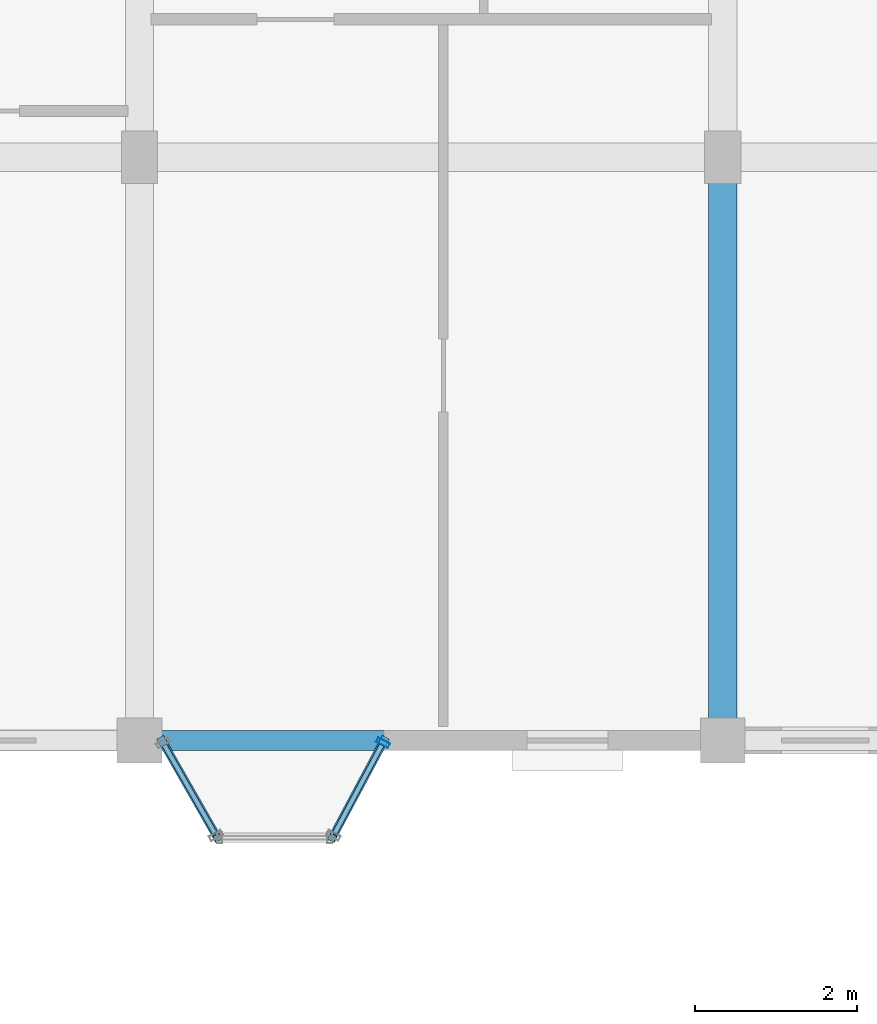
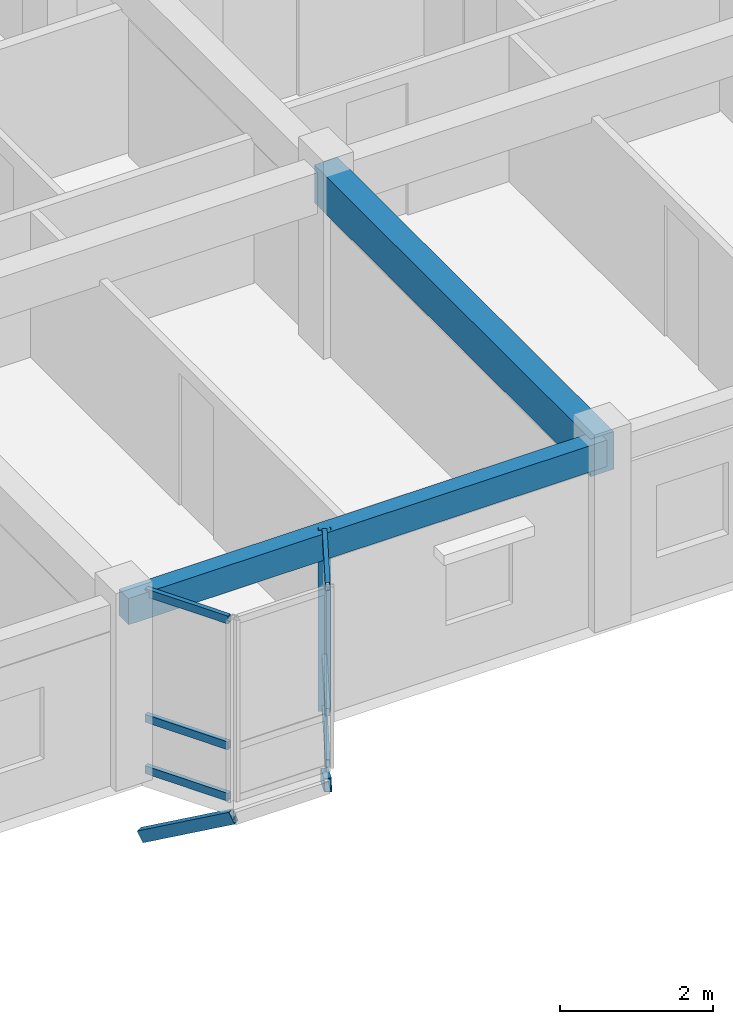
# One storey, part 34 of 77: 9 members, 2 beams, 2 elements without a shape of their own.
"""IFC4 building model written with IfcOpenShell, lengths in metres."""

from ifc_helpers import new_model, si_unit, direction, frame, origin, origin_2d, place, context, subcontext, project, spatial, rectangle, hollow_rectangle, extrude, material, layer, layer_set, material_profile, profile_set, type_object, element, aggregate, save


model = new_model("IFC4")

# Units and contexts
model_context = context("Model", 3, precision=1e-05, world=origin(), true_north=direction((0.0, 1.0)))
body_context = subcontext(model_context, "Body", "Model", "MODEL_VIEW")
ifc_project = project(units=[si_unit("LENGTHUNIT", "METRE"), si_unit("AREAUNIT", "SQUARE_METRE"), si_unit("VOLUMEUNIT", "CUBIC_METRE"), si_unit("PLANEANGLEUNIT", "RADIAN"), si_unit("MASSUNIT", "GRAM", prefix="KILO"), si_unit("THERMODYNAMICTEMPERATUREUNIT", "KELVIN"), si_unit("POWERUNIT", "WATT")], contexts=[model_context])

# Site, building, storey
site_placement = place(None, origin())
site = spatial("IfcSite", under=ifc_project, at=site_placement, CompositionType="ELEMENT")
building_placement = place(site_placement, origin())
building = spatial("IfcBuilding", under=site, at=building_placement, Name="Tavuni Mirador Residences", CompositionType="ELEMENT")
storey_placement = place(building_placement, frame((0.0, 0.0, 17.10009765625)))
storey = spatial("IfcBuildingStorey", under=building, at=storey_placement, Name="L05", CompositionType="ELEMENT", Elevation=17.10009765625)

# Beams
ifc_material_1 = material(Name="Precast concrete C40/50", Category="concrete")
ifc_material_profile_1 = material_profile(ifc_material_1, rectangle(XDim=0.35009765625, YDim=0.60009765625, at=origin_2d()), Name="PC 350x600", Category="concrete")
ifc_profile_set_1 = profile_set([ifc_material_profile_1], Name="Precast concrete C40/50")
beam_type_1 = type_object("IfcBeamType", Name="BT-B600", PredefinedType="BEAM", material=ifc_profile_set_1)
beam_1_placement = place(storey_placement, frame((25.199951171875, 144.0, 2.5849609375), z_axis=(0.0, 1.0, 0.0), x_axis=(-1.0, 0.0, 0.0)))
element("IfcBeam", 1, at=beam_1_placement, inside=storey, type_object=beam_type_1, Name="BMY-BLK-C-L05-02-00", PredefinedType="BEAM", context=body_context, shape_type="SweptSolid", body=[
    extrude(rectangle(XDim=0.35009765625, YDim=0.60009765625, at=origin_2d()), origin(), (0.0, 0.0, 1.0), 7.199951171875),
])
ifc_material_profile_2 = material_profile(ifc_material_1, rectangle(XDim=0.25, YDim=0.419921875, at=origin_2d()), Name="PC 250x420", Category="concrete")
ifc_profile_set_2 = profile_set([ifc_material_profile_2], Name="Precast concrete C40/50")
beam_type_2 = type_object("IfcBeamType", Name="BT-SP420", PredefinedType="SPANDREL", material=ifc_profile_set_2)
beam_2_placement = place(storey_placement, frame((18.0, 144.0, 2.6748046875), z_axis=(1.0, 0.0, 0.0), x_axis=(0.0, 1.0, 0.0)))
element("IfcBeam", 2, at=beam_2_placement, inside=storey, type_object=beam_type_2, Name="BMX-BLK-C-L05-01-00", PredefinedType="SPANDREL", context=body_context, shape_type="SweptSolid", body=[
    extrude(rectangle(XDim=0.25, YDim=0.419921875, at=origin_2d()), origin(), (0.0, 0.0, 1.0), 7.199951171875),
])

# Curtain wall, member
ifc_material_2 = material(Name="Anodised aluminium", Category="aluminium")
ifc_layer_1 = layer(ifc_material_2, 0.159912109375, Name="Anodised aluminium", Category="aluminium")
ifc_layer_set_1 = layer_set([ifc_layer_1], Name="Anodised aluminium")
curtain_wall_type_1 = type_object("IfcCurtainWallType", Name="CWT-MIR-D", PredefinedType="NOTDEFINED", material=ifc_layer_set_1)
curtain_wall_1_placement = place(storey_placement, origin())
curtain_wall_1 = element("IfcCurtainWall", 3, at=curtain_wall_1_placement, inside=storey, type_object=curtain_wall_type_1, Name="CW-MIR-C-S1-L05-M2", PredefinedType="NOTDEFINED")
ifc_material_profile_3 = material_profile(ifc_material_2, hollow_rectangle(XDim=0.06494140625, YDim=0.1650390625, WallThickness=0.00439453125, at=origin_2d()), Name="ALU 65x165x4.5", Category="aluminium")
ifc_profile_set_3 = profile_set([ifc_material_profile_3], Name="Anodised aluminium")
member_type_1 = type_object("IfcMemberType", Name="CWM-165", PredefinedType="MULLION", material=ifc_profile_set_3)
member_1_placement = place(storey_placement, frame((21.004638671875, 143.971435546875, 0.0), z_axis=(0.0, 0.0, 1.0), x_axis=(0.470588235296, 0.882352941175, 0.0)))
member_1 = element("IfcMember", 4, at=member_1_placement, type_object=member_type_1, Name="CW-04 mullion 2", PredefinedType="MULLION", context=body_context, shape_type="SweptSolid", body=[
    extrude(hollow_rectangle(XDim=0.06494140625, YDim=0.1650390625, WallThickness=0.00439453125, at=origin_2d()), origin(), (0.0, 0.0, 1.0), 2.885009765625),
])

# Curtain wall, members
ifc_layer_2 = layer(ifc_material_2, 0.14990234375, Name="Anodised aluminium", Category="aluminium")
ifc_layer_set_2 = layer_set([ifc_layer_2], Name="Anodised aluminium")
curtain_wall_type_2 = type_object("IfcCurtainWallType", Name="CWT-MIR-B", PredefinedType="NOTDEFINED", material=ifc_layer_set_2)
curtain_wall_2_placement = place(storey_placement, origin())
curtain_wall_2 = element("IfcCurtainWall", 5, at=curtain_wall_2_placement, inside=storey, type_object=curtain_wall_type_2, Name="CW-MIR-C-S1-L05-M1", PredefinedType="NOTDEFINED")
ifc_material_profile_4 = material_profile(ifc_material_2, hollow_rectangle(XDim=0.06494140625, YDim=0.125, WallThickness=0.00439453125, at=origin_2d()), Name="ALU 65x125x4.5", Category="aluminium")
ifc_profile_set_4 = profile_set([ifc_material_profile_4], Name="Anodised aluminium")
member_type_2 = type_object("IfcMemberType", Name="CWT-125", PredefinedType="USERDEFINED", material=ifc_profile_set_4)
member_2_placement = place(storey_placement, frame((18.30712890625, 143.943603515625, 0.032470703125), z_axis=(0.495760837306, -0.868459090685, 0.0), x_axis=(0.868459090685, 0.495760837306, 0.0)))
member_2 = element("IfcMember", 6, at=member_2_placement, type_object=member_type_2, Name="CW-02 transom 1.1", ObjectType="TRANSOM", PredefinedType="USERDEFINED", context=body_context, shape_type="SweptSolid", body=[
    extrude(hollow_rectangle(XDim=0.06494140625, YDim=0.125, WallThickness=0.00439453125, at=origin_2d()), origin(), (0.0, 0.0, 1.0), 1.251708984375),
])
member_3_placement = place(storey_placement, frame((18.30712890625, 143.943603515625, 0.849853515625), z_axis=(0.495760837306, -0.868459090685, 0.0), x_axis=(0.868459090685, 0.495760837306, 0.0)))
member_3 = element("IfcMember", 7, at=member_3_placement, type_object=member_type_2, Name="CW-02 transom 1.2", ObjectType="TRANSOM", PredefinedType="USERDEFINED", context=body_context, shape_type="SweptSolid", body=[
    extrude(hollow_rectangle(XDim=0.06494140625, YDim=0.125, WallThickness=0.00439453125, at=origin_2d()), origin(), (0.0, 0.0, 1.0), 1.251708984375),
])
member_4_placement = place(storey_placement, frame((18.30712890625, 143.943603515625, 2.852294921875), z_axis=(0.495760837306, -0.868459090685, 0.0), x_axis=(0.868459090685, 0.495760837306, 0.0)))
member_4 = element("IfcMember", 8, at=member_4_placement, type_object=member_type_2, Name="CW-02 transom 1.3", ObjectType="TRANSOM", PredefinedType="USERDEFINED", context=body_context, shape_type="SweptSolid", body=[
    extrude(hollow_rectangle(XDim=0.06494140625, YDim=0.125, WallThickness=0.00439453125, at=origin_2d()), origin(), (0.0, 0.0, 1.0), 1.251708984375),
])
aggregate(curtain_wall_2, [member_2, member_3, member_4])

# Member
member_5_placement = place(storey_placement, frame((20.41064453125, 142.857421875, 0.032470703125), z_axis=(0.470639747922, 0.882325465843, 0.0), x_axis=(-0.882325465843, 0.470639747922, 0.0)))
member_5 = element("IfcMember", 9, at=member_5_placement, type_object=member_type_2, Name="CW-04 transom 1.1", ObjectType="TRANSOM", PredefinedType="USERDEFINED", context=body_context, shape_type="SweptSolid", body=[
    extrude(hollow_rectangle(XDim=0.06494140625, YDim=0.125, WallThickness=0.00439453125, at=origin_2d()), origin(), (0.0, 0.0, 1.0), 1.22998046875),
])

member_6_placement = place(storey_placement, frame((20.41064453125, 142.857421875, 0.849853515625), z_axis=(0.470639747922, 0.882325465843, 0.0), x_axis=(-0.882325465843, 0.470639747922, 0.0)))
member_6 = element("IfcMember", 10, at=member_6_placement, type_object=member_type_2, Name="CW-04 transom 1.2", ObjectType="TRANSOM", PredefinedType="USERDEFINED", context=body_context, shape_type="SweptSolid", body=[
    extrude(hollow_rectangle(XDim=0.06494140625, YDim=0.125, WallThickness=0.00439453125, at=origin_2d()), origin(), (0.0, 0.0, 1.0), 1.22998046875),
])

member_7_placement = place(storey_placement, frame((20.41064453125, 142.857421875, 2.852294921875), z_axis=(0.470639747922, 0.882325465843, 0.0), x_axis=(-0.882325465843, 0.470639747922, 0.0)))
member_7 = element("IfcMember", 11, at=member_7_placement, type_object=member_type_2, Name="CW-04 transom 1.3", ObjectType="TRANSOM", PredefinedType="USERDEFINED", context=body_context, shape_type="SweptSolid", body=[
    extrude(hollow_rectangle(XDim=0.06494140625, YDim=0.125, WallThickness=0.00439453125, at=origin_2d()), origin(), (0.0, 0.0, 1.0), 1.22998046875),
])

aggregate(curtain_wall_1, [member_1, member_5, member_6, member_7])

# Members
ifc_material_3 = material(Name="Structural steel S355", Category="steel")
ifc_material_profile_5 = material_profile(ifc_material_3, hollow_rectangle(XDim=0.10009765625, YDim=0.179931640625, WallThickness=0.008056640625, at=origin_2d()), Name="RHS 180x100x8.0", Category="steel")
ifc_profile_set_5 = profile_set([ifc_material_profile_5], Name="Structural steel S355")
member_type_3 = type_object("IfcMemberType", Name="MT-BR-RHS180", PredefinedType="BRACE", material=ifc_profile_set_5)
member_8_placement = place(storey_placement, frame((18.27490234375, 144.0, -1.050048828125), z_axis=(0.431095380922, -0.755108267011, 0.493931450344), x_axis=(0.868438794398, 0.495796390047, 0.0)))
element("IfcMember", 12, at=member_8_placement, inside=storey, type_object=member_type_3, Name="MBRK-MIR-C-S1-L05-1", PredefinedType="BRACE", context=body_context, shape_type="SweptSolid", body=[
    extrude(hollow_rectangle(XDim=0.10009765625, YDim=0.179931640625, WallThickness=0.008056640625, at=origin_2d()), origin(), (0.0, 0.0, 1.0), 1.589111328125),
])
member_9_placement = place(storey_placement, frame((21.02001953125, 144.0, -1.050048828125), z_axis=(-0.407660536563, -0.76416915988, 0.499858361956), x_axis=(0.882303244255, -0.470681405175, 0.0)))
element("IfcMember", 13, at=member_9_placement, inside=storey, type_object=member_type_3, Name="MBRK-MIR-C-S1-L05-2", PredefinedType="BRACE", context=body_context, shape_type="SweptSolid", body=[
    extrude(hollow_rectangle(XDim=0.10009765625, YDim=0.179931640625, WallThickness=0.008056640625, at=origin_2d()), origin(), (0.0, 0.0, 1.0), 1.5703125),
])

save(model, "model.ifc")
